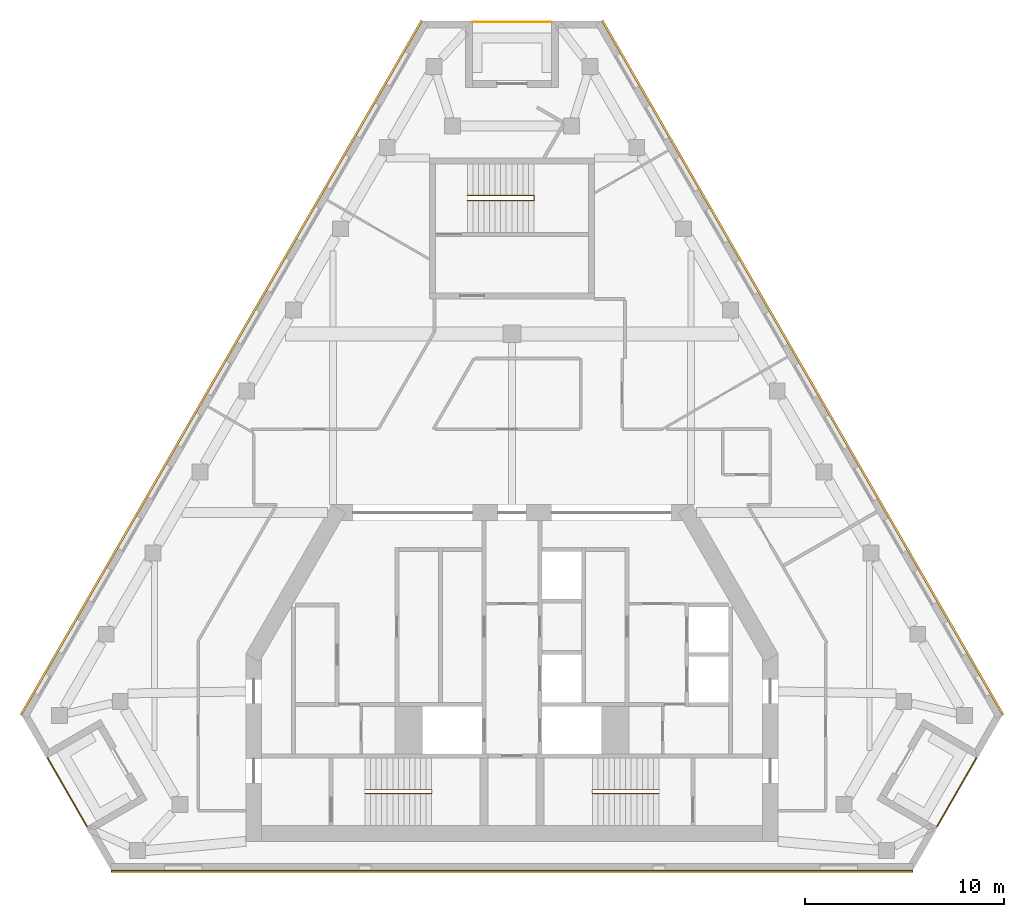
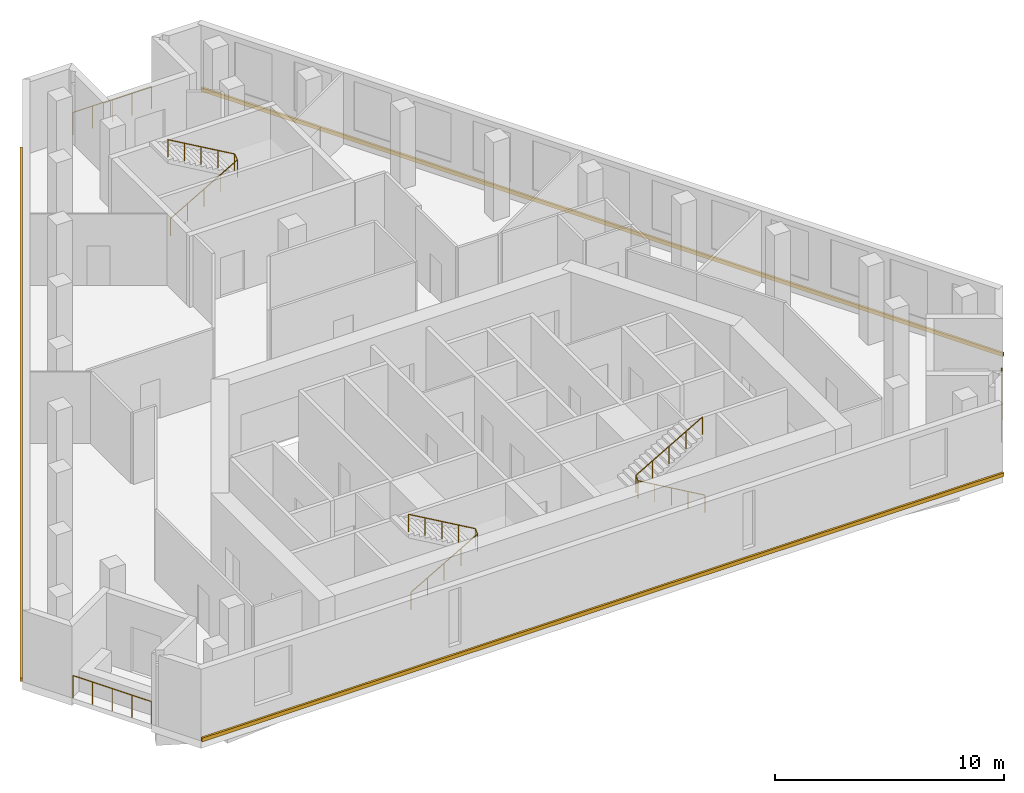
# One storey, part 8 of 8: 6 railings, 3 coverings.
"""IFC4 building model written with IfcOpenShell, lengths in metres."""

from ifc_helpers import new_model, si_unit, direction, frame, origin, origin_2d, place, context, subcontext, project, spatial, polyline, circle, outline, extrude, material, type_object, element, save


model = new_model("IFC4")

# Units and contexts
model_context = context("Model", 3, precision=1e-05, world=origin(), true_north=direction((0.0, 1.0)))
body_context = subcontext(model_context, "Body", "Model", "MODEL_VIEW")
ifc_project = project(units=[si_unit("LENGTHUNIT", "METRE"), si_unit("AREAUNIT", "SQUARE_METRE"), si_unit("VOLUMEUNIT", "CUBIC_METRE"), si_unit("PLANEANGLEUNIT", "RADIAN"), si_unit("MASSUNIT", "GRAM", prefix="KILO")], contexts=[model_context])

# Site, building, storey
site_placement = place(None, origin())
site = spatial("IfcSite", under=ifc_project, at=site_placement, CompositionType="ELEMENT")
building_placement = place(site_placement, origin())
building = spatial("IfcBuilding", under=site, at=building_placement, Name="Fogline Exchange Tower", CompositionType="ELEMENT")
storey_placement = place(building_placement, frame((0.0, 0.0, 309.89990234375)))
storey = spatial("IfcBuildingStorey", under=building, at=storey_placement, Name="L70", CompositionType="ELEMENT", Elevation=309.89990234375)

# Railings
ifc_material_1 = material(Name="Stainless steel 304", Category="steel")
railing_type_1 = type_object("IfcRailingType", Name="G1", PredefinedType="GUARDRAIL", material=ifc_material_1)
railing_1_placement = place(storey_placement, frame((-23.3759765625, 5.635986328125, 0.0)))
element("IfcRailing", 1, at=railing_1_placement, inside=storey, type_object=railing_type_1, Name="Balcony guard L70 SW", PredefinedType="GUARDRAIL", context=body_context, shape_type="SweptSolid", body=[
    extrude(circle(Radius=0.02392578125, at=origin_2d()), frame((0.0, 0.0, 1.17578125), z_axis=(0.500000102728, -0.866025344474, 0.0), x_axis=(0.866025344474, 0.500000102728, 0.0)), (0.0, 0.0, 1.0), 3.9580078125),
    extrude(circle(Radius=0.02099609375, at=origin_2d()), origin(), (0.0, 0.0, 1.0), 1.15185546875),
    extrude(circle(Radius=0.02099609375, at=origin_2d()), frame((0.49462890625, -0.85693359375, 0.0)), (0.0, 0.0, 1.0), 1.15185546875),
    extrude(circle(Radius=0.02099609375, at=origin_2d()), frame((0.989501953125, -1.7138671875, 0.0)), (0.0, 0.0, 1.0), 1.15185546875),
    extrude(circle(Radius=0.02099609375, at=origin_2d()), frame((1.484375, -2.57080078125, 0.0)), (0.0, 0.0, 1.0), 1.15185546875),
    extrude(circle(Radius=0.02099609375, at=origin_2d()), frame((1.97900390625, -3.427734375, 0.0)), (0.0, 0.0, 1.0), 1.15185546875),
])
railing_2_placement = place(storey_placement, frame((21.39697265625, 2.208251953125, 0.0)))
element("IfcRailing", 2, at=railing_2_placement, inside=storey, type_object=railing_type_1, Name="Balcony guard L70 SE", PredefinedType="GUARDRAIL", context=body_context, shape_type="SweptSolid", body=[
    extrude(circle(Radius=0.02392578125, at=origin_2d()), frame((0.0, 0.0, 1.17578125), z_axis=(0.500000102728, 0.866025344474, 0.0), x_axis=(-0.866025344474, 0.500000102728, 0.0)), (0.0, 0.0, 1.0), 3.9580078125),
    extrude(circle(Radius=0.02099609375, at=origin_2d()), origin(), (0.0, 0.0, 1.0), 1.15185546875),
    extrude(circle(Radius=0.02099609375, at=origin_2d()), frame((0.49462890625, 0.85693359375, 0.0)), (0.0, 0.0, 1.0), 1.15185546875),
    extrude(circle(Radius=0.02099609375, at=origin_2d()), frame((0.989501953125, 1.7138671875, 0.0)), (0.0, 0.0, 1.0), 1.15185546875),
    extrude(circle(Radius=0.02099609375, at=origin_2d()), frame((1.484375, 2.57080078125, 0.0)), (0.0, 0.0, 1.0), 1.15185546875),
    extrude(circle(Radius=0.02099609375, at=origin_2d()), frame((1.97900390625, 3.427734375, 0.0)), (0.0, 0.0, 1.0), 1.15185546875),
])
railing_3_placement = place(storey_placement, frame((1.97900390625, 42.69677734375, 0.0)))
element("IfcRailing", 3, at=railing_3_placement, inside=storey, type_object=railing_type_1, Name="Balcony guard L70 N", PredefinedType="GUARDRAIL", context=body_context, shape_type="SweptSolid", body=[
    extrude(circle(Radius=0.02392578125, at=origin_2d()), frame((0.0, 0.0, 1.17578125), z_axis=(-1.0, 0.0, 0.0), x_axis=(0.0, -1.0, 0.0)), (0.0, 0.0, 1.0), 3.9580078125),
    extrude(circle(Radius=0.02099609375, at=origin_2d()), origin(), (0.0, 0.0, 1.0), 1.15185546875),
    extrude(circle(Radius=0.02099609375, at=origin_2d()), frame((-0.989501953125, 0.0, 0.0)), (0.0, 0.0, 1.0), 1.15185546875),
    extrude(circle(Radius=0.02099609375, at=origin_2d()), frame((-1.97900390625, 0.0, 0.0)), (0.0, 0.0, 1.0), 1.15185546875),
    extrude(circle(Radius=0.02099609375, at=origin_2d()), frame((-2.968505859375, 0.0, 0.0)), (0.0, 0.0, 1.0), 1.15185546875),
    extrude(circle(Radius=0.02099609375, at=origin_2d()), frame((-3.9580078125, 0.0, 0.0)), (0.0, 0.0, 1.0), 1.15185546875),
])
ifc_material_2 = material(Name="Steel Q235B", Category="steel")
railing_type_2 = type_object("IfcRailingType", Name="RL-HR", PredefinedType="HANDRAIL", material=ifc_material_2)
railing_4_placement = place(storey_placement, frame((-7.39990234375, 3.85009765625, 0.16162109375)))
element("IfcRailing", 4, at=railing_4_placement, inside=storey, type_object=railing_type_2, Name="Handrail ST1", PredefinedType="HANDRAIL", context=body_context, shape_type="SweptSolid", body=[
    extrude(circle(Radius=0.02392578125, at=origin_2d()), frame((0.0, 0.0, 0.92578125), z_axis=(0.866175107563, 0.0, 0.499740615757), x_axis=(0.0, 1.0, 0.0)), (0.0, 0.0, 1.0), 3.87890625),
    extrude(circle(Radius=0.02392578125, at=origin_2d()), frame((3.35986328125, 0.0, 2.8642578125), z_axis=(0.0, 0.777709044463, 0.628624404682), x_axis=(-1.0, 0.0, 0.0)), (0.0, 0.0, 1.0), 0.257080078125),
    extrude(circle(Radius=0.02392578125, at=origin_2d()), frame((3.35986328125, 0.199951171875, 3.02587890625), z_axis=(-0.866175107563, 0.0, 0.499740615757), x_axis=(0.0, -1.0, 0.0)), (0.0, 0.0, 1.0), 3.87890625),
    extrude(circle(Radius=0.02099609375, at=origin_2d()), origin(), (0.0, 0.0, 1.0), 0.90185546875),
    extrude(circle(Radius=0.02099609375, at=origin_2d()), frame((0.83984375, 0.0, 0.484619140625)), (0.0, 0.0, 1.0), 0.90185546875),
    extrude(circle(Radius=0.02099609375, at=origin_2d()), frame((1.679931640625, 0.0, 0.96923828125)), (0.0, 0.0, 1.0), 0.90185546875),
    extrude(circle(Radius=0.02099609375, at=origin_2d()), frame((2.52001953125, 0.0, 1.453857421875)), (0.0, 0.0, 1.0), 0.90185546875),
    extrude(circle(Radius=0.02099609375, at=origin_2d()), frame((3.35986328125, 0.0, 1.9384765625)), (0.0, 0.0, 1.0), 0.90185546875),
    extrude(circle(Radius=0.02099609375, at=origin_2d()), frame((3.35986328125, 0.199951171875, 2.10009765625)), (0.0, 0.0, 1.0), 0.90185546875),
    extrude(circle(Radius=0.02099609375, at=origin_2d()), frame((2.52001953125, 0.199951171875, 2.584716796875)), (0.0, 0.0, 1.0), 0.90185546875),
    extrude(circle(Radius=0.02099609375, at=origin_2d()), frame((1.679931640625, 0.199951171875, 3.0693359375)), (0.0, 0.0, 1.0), 0.90185546875),
    extrude(circle(Radius=0.02099609375, at=origin_2d()), frame((0.83984375, 0.199951171875, 3.553955078125)), (0.0, 0.0, 1.0), 0.90185546875),
    extrude(circle(Radius=0.02099609375, at=origin_2d()), frame((0.0, 0.199951171875, 4.03857421875)), (0.0, 0.0, 1.0), 0.90185546875),
])
railing_5_placement = place(storey_placement, frame((7.39990234375, 3.85009765625, 0.16162109375)))
element("IfcRailing", 5, at=railing_5_placement, inside=storey, type_object=railing_type_2, Name="Handrail ST2", PredefinedType="HANDRAIL", context=body_context, shape_type="SweptSolid", body=[
    extrude(circle(Radius=0.02392578125, at=origin_2d()), frame((0.0, 0.0, 0.92578125), z_axis=(-0.866175107563, 0.0, 0.499740615757), x_axis=(0.0, -1.0, 0.0)), (0.0, 0.0, 1.0), 3.87890625),
    extrude(circle(Radius=0.02392578125, at=origin_2d()), frame((-3.35986328125, 0.0, 2.8642578125), z_axis=(0.0, 0.777709044463, 0.628624404682), x_axis=(-1.0, 0.0, 0.0)), (0.0, 0.0, 1.0), 0.257080078125),
    extrude(circle(Radius=0.02392578125, at=origin_2d()), frame((-3.35986328125, 0.199951171875, 3.02587890625), z_axis=(0.866175107563, 0.0, 0.499740615757), x_axis=(0.0, 1.0, 0.0)), (0.0, 0.0, 1.0), 3.87890625),
    extrude(circle(Radius=0.02099609375, at=origin_2d()), origin(), (0.0, 0.0, 1.0), 0.90185546875),
    extrude(circle(Radius=0.02099609375, at=origin_2d()), frame((-0.83984375, 0.0, 0.484619140625)), (0.0, 0.0, 1.0), 0.90185546875),
    extrude(circle(Radius=0.02099609375, at=origin_2d()), frame((-1.679931640625, 0.0, 0.96923828125)), (0.0, 0.0, 1.0), 0.90185546875),
    extrude(circle(Radius=0.02099609375, at=origin_2d()), frame((-2.52001953125, 0.0, 1.453857421875)), (0.0, 0.0, 1.0), 0.90185546875),
    extrude(circle(Radius=0.02099609375, at=origin_2d()), frame((-3.35986328125, 0.0, 1.9384765625)), (0.0, 0.0, 1.0), 0.90185546875),
    extrude(circle(Radius=0.02099609375, at=origin_2d()), frame((-3.35986328125, 0.199951171875, 2.10009765625)), (0.0, 0.0, 1.0), 0.90185546875),
    extrude(circle(Radius=0.02099609375, at=origin_2d()), frame((-2.52001953125, 0.199951171875, 2.584716796875)), (0.0, 0.0, 1.0), 0.90185546875),
    extrude(circle(Radius=0.02099609375, at=origin_2d()), frame((-1.679931640625, 0.199951171875, 3.0693359375)), (0.0, 0.0, 1.0), 0.90185546875),
    extrude(circle(Radius=0.02099609375, at=origin_2d()), frame((-0.83984375, 0.199951171875, 3.553955078125)), (0.0, 0.0, 1.0), 0.90185546875),
    extrude(circle(Radius=0.02099609375, at=origin_2d()), frame((0.0, 0.199951171875, 4.03857421875)), (0.0, 0.0, 1.0), 0.90185546875),
])
railing_6_placement = place(storey_placement, frame((-2.25, 33.70703125, 0.16162109375)))
element("IfcRailing", 6, at=railing_6_placement, inside=storey, type_object=railing_type_2, Name="Handrail ST3", PredefinedType="HANDRAIL", context=body_context, shape_type="SweptSolid", body=[
    extrude(circle(Radius=0.02392578125, at=origin_2d()), frame((0.0, 0.0, 0.92578125), z_axis=(0.866190824863, 0.0, 0.499713372768), x_axis=(0.0, 1.0, 0.0)), (0.0, 0.0, 1.0), 3.879150390625),
    extrude(circle(Radius=0.02392578125, at=origin_2d()), frame((3.360107421875, 0.0, 2.8642578125), z_axis=(0.0, 0.839790117141, 0.542911189011), x_axis=(-1.0, 0.0, 0.0)), (0.0, 0.0, 1.0), 0.297607421875),
    extrude(circle(Radius=0.02392578125, at=origin_2d()), frame((3.360107421875, 0.25, 3.02587890625), z_axis=(-0.866190824863, 0.0, 0.499713372768), x_axis=(0.0, -1.0, 0.0)), (0.0, 0.0, 1.0), 3.879150390625),
    extrude(circle(Radius=0.02099609375, at=origin_2d()), origin(), (0.0, 0.0, 1.0), 0.90185546875),
    extrude(circle(Radius=0.02099609375, at=origin_2d()), frame((0.840087890625, 0.0, 0.484619140625)), (0.0, 0.0, 1.0), 0.90185546875),
    extrude(circle(Radius=0.02099609375, at=origin_2d()), frame((1.68017578125, 0.0, 0.96923828125)), (0.0, 0.0, 1.0), 0.90185546875),
    extrude(circle(Radius=0.02099609375, at=origin_2d()), frame((2.52001953125, 0.0, 1.453857421875)), (0.0, 0.0, 1.0), 0.90185546875),
    extrude(circle(Radius=0.02099609375, at=origin_2d()), frame((3.360107421875, 0.0, 1.9384765625)), (0.0, 0.0, 1.0), 0.90185546875),
    extrude(circle(Radius=0.02099609375, at=origin_2d()), frame((3.360107421875, 0.25, 2.10009765625)), (0.0, 0.0, 1.0), 0.90185546875),
    extrude(circle(Radius=0.02099609375, at=origin_2d()), frame((2.52001953125, 0.25, 2.584716796875)), (0.0, 0.0, 1.0), 0.90185546875),
    extrude(circle(Radius=0.02099609375, at=origin_2d()), frame((1.68017578125, 0.25, 3.0693359375)), (0.0, 0.0, 1.0), 0.90185546875),
    extrude(circle(Radius=0.02099609375, at=origin_2d()), frame((0.840087890625, 0.25, 3.553955078125)), (0.0, 0.0, 1.0), 0.90185546875),
    extrude(circle(Radius=0.02099609375, at=origin_2d()), frame((0.0, 0.25, 4.03857421875)), (0.0, 0.0, 1.0), 0.90185546875),
])

# Coverings
ifc_material_3 = material(Name="Brick masonry", Category="masonry")
covering_type = type_object("IfcCoveringType", Name="SB1", PredefinedType="CLADDING", material=ifc_material_3)
covering_1_placement = place(storey_placement, origin())
element("IfcCovering", 7, at=covering_1_placement, inside=storey, type_object=covering_type, Name="Stringcourse band L70 S", PredefinedType="CLADDING", context=body_context, shape_type="SweptSolid", body=[
    extrude(outline(polyline([(-20.1796875, 0.0), (-20.1796875, -0.10009765625), (20.1796875, -0.10009765625), (20.1796875, 0.0), (-20.1796875, 0.0)])), origin(), (0.0, 0.0, 1.0), 0.2001953125),
])
covering_2_placement = place(storey_placement, origin())
element("IfcCovering", 8, at=covering_2_placement, inside=storey, type_object=covering_type, Name="Stringcourse band L70 E", PredefinedType="CLADDING", context=body_context, shape_type="SweptSolid", body=[
    extrude(outline(polyline([(24.6796875, 7.794189453125), (24.766357421875, 7.84423828125), (4.586669921875, 42.796630859375), (4.5, 42.74658203125), (24.6796875, 7.794189453125)])), origin(), (0.0, 0.0, 1.0), 0.2001953125),
])
covering_3_placement = place(storey_placement, origin())
element("IfcCovering", 9, at=covering_3_placement, inside=storey, type_object=covering_type, Name="Stringcourse band L70 W", PredefinedType="CLADDING", context=body_context, shape_type="SweptSolid", body=[
    extrude(outline(polyline([(-4.5, 42.74658203125), (-4.586669921875, 42.796630859375), (-24.766357421875, 7.84423828125), (-24.6796875, 7.794189453125), (-4.5, 42.74658203125)])), origin(), (0.0, 0.0, 1.0), 0.2001953125),
])

save(model, "model.ifc")
